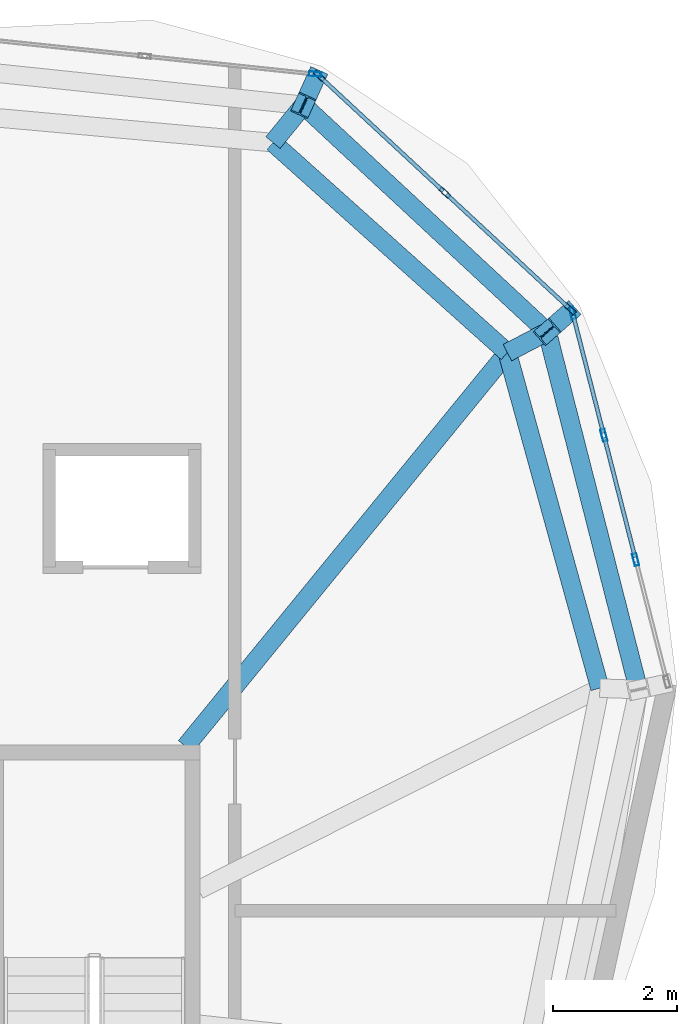
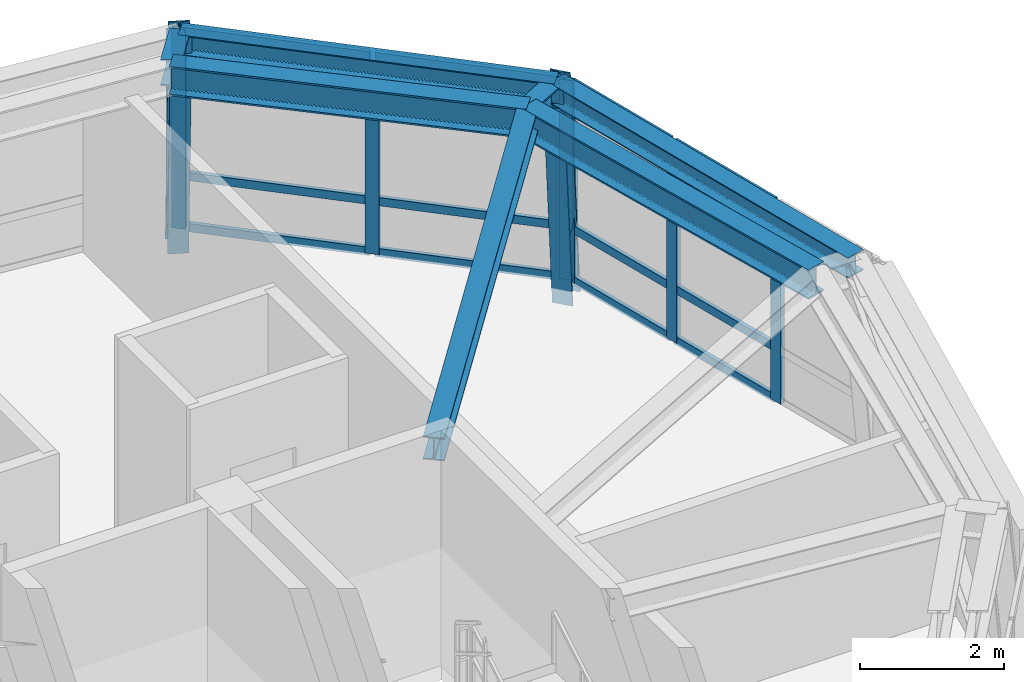
# One storey, part 6 of 9: 21 members, 7 beams, 3 elements without a shape of their own.
"""IFC4 building model written with IfcOpenShell, lengths in metres."""

from ifc_helpers import new_model, si_unit, direction, frame, origin, origin_2d, place, context, subcontext, project, spatial, hollow_rectangle, i_section, extrude, material, layer, layer_set, material_profile, profile_set, type_object, element, aggregate, save


model = new_model("IFC4")

# Units and contexts
model_context = context("Model", 3, precision=1e-05, world=origin(), true_north=direction((0.0, 1.0)))
body_context = subcontext(model_context, "Body", "Model", "MODEL_VIEW")
ifc_project = project(units=[si_unit("LENGTHUNIT", "METRE"), si_unit("AREAUNIT", "SQUARE_METRE"), si_unit("VOLUMEUNIT", "CUBIC_METRE"), si_unit("PLANEANGLEUNIT", "RADIAN"), si_unit("MASSUNIT", "GRAM", prefix="KILO"), si_unit("THERMODYNAMICTEMPERATUREUNIT", "KELVIN"), si_unit("POWERUNIT", "WATT")], contexts=[model_context])

# Site, building, storey
site_placement = place(None, origin())
site = spatial("IfcSite", under=ifc_project, at=site_placement, CompositionType="ELEMENT")
building_placement = place(site_placement, origin())
building = spatial("IfcBuilding", under=site, at=building_placement, Name="Ocrelia Relay Tower", CompositionType="ELEMENT")
storey_placement = place(building_placement, frame((0.0, 0.0, 300.0)))
storey = spatial("IfcBuildingStorey", under=building, at=storey_placement, Name="L75", CompositionType="ELEMENT", Elevation=300.0)

# Beams
ifc_material_1 = material(Name="Steel S355", Category="steel")
ifc_material_profile_1 = material_profile(ifc_material_1, i_section(OverallWidth=0.300048828125, OverallDepth=0.35009765625, WebThickness=0.010009765625, FlangeThickness=0.017578125, FilletRadius=0.027099609375, at=origin_2d()), Name="HEA 360")
ifc_profile_set_1 = profile_set([ifc_material_profile_1], Name="Steel S355")
beam_type_1 = type_object("IfcBeamType", Name="BM-HEA360", PredefinedType="SPANDREL", material=ifc_profile_set_1)
beam_1_placement = place(storey_placement, frame((44.669677734375, 28.12451171875, 3.574951171875), z_axis=(-0.247369340532, 0.968921260663, 0.0), x_axis=(-0.968921260663, -0.247369340532, 0.0)))
element("IfcBeam", 1, at=beam_1_placement, inside=storey, type_object=beam_type_1, Name="L75 Crown Faceted Ring Beam R11", PredefinedType="SPANDREL", context=body_context, shape_type="SweptSolid", body=[
    extrude(i_section(OverallWidth=0.300048828125, OverallDepth=0.35009765625, WebThickness=0.010009765625, FlangeThickness=0.017578125, FilletRadius=0.027099609375, at=origin_2d()), origin(), (0.0, 0.0, 1.0), 5.962158203125),
])
beam_2_placement = place(storey_placement, frame((43.19482421875, 33.9013671875, 3.574951171875), z_axis=(-0.732539507157, 0.68072451877, 0.0), x_axis=(-0.68072451877, -0.732539507157, 0.0)))
element("IfcBeam", 2, at=beam_2_placement, inside=storey, type_object=beam_type_1, Name="L75 Crown Faceted Ring Beam R12", PredefinedType="SPANDREL", context=body_context, shape_type="SweptSolid", body=[
    extrude(i_section(OverallWidth=0.300048828125, OverallDepth=0.35009765625, WebThickness=0.010009765625, FlangeThickness=0.017578125, FilletRadius=0.027099609375, at=origin_2d()), origin(), (0.0, 0.0, 1.0), 5.376220703125),
])
ifc_material_profile_2 = material_profile(ifc_material_1, i_section(OverallWidth=0.300048828125, OverallDepth=0.389892578125, WebThickness=0.010986328125, FlangeThickness=0.01904296875, FilletRadius=0.027099609375, at=origin_2d()), Name="HEA 400")
ifc_profile_set_2 = profile_set([ifc_material_profile_2], Name="Steel S355")
beam_type_2 = type_object("IfcBeamType", Name="BM-HEA400", PredefinedType="SPANDREL", material=ifc_profile_set_2)
beam_3_placement = place(storey_placement, frame((42.551513671875, 33.566650390625, 3.554931640625), z_axis=(-0.632697095165, -0.774399370977, 0.0), x_axis=(0.774399370977, -0.632697095165, 0.0)))
element("IfcBeam", 3, at=beam_3_placement, inside=storey, type_object=beam_type_2, Name="L75 Crown Radial Floor Beam 12", PredefinedType="SPANDREL", context=body_context, shape_type="SweptSolid", body=[
    extrude(i_section(OverallWidth=0.300048828125, OverallDepth=0.389892578125, WebThickness=0.010986328125, FlangeThickness=0.01904296875, FilletRadius=0.027099609375, at=origin_2d()), origin(), (0.0, 0.0, 1.0), 8.21484375),
])
ifc_material_profile_3 = material_profile(ifc_material_1, i_section(OverallWidth=0.300048828125, OverallDepth=0.449951171875, WebThickness=0.013916015625, FlangeThickness=0.02587890625, FilletRadius=0.027099609375, at=origin_2d()), Name="HEB 450")
ifc_profile_set_3 = profile_set([ifc_material_profile_3], Name="Steel S355")
beam_type_3 = type_object("IfcBeamType", Name="BM-HEB450", PredefinedType="BEAM", material=ifc_profile_set_3)
beam_4_placement = place(storey_placement, frame((39.256591796875, 37.56103515625, 3.52490234375), z_axis=(-0.632364948062, -0.774670621918, 0.0), x_axis=(0.774670621918, -0.632364948062, 0.0)))
element("IfcBeam", 4, at=beam_4_placement, inside=storey, type_object=beam_type_3, Name="L75 Crown Step Radial Beam ST01", PredefinedType="BEAM", context=body_context, shape_type="SweptSolid", body=[
    extrude(i_section(OverallWidth=0.300048828125, OverallDepth=0.449951171875, WebThickness=0.013916015625, FlangeThickness=0.02587890625, FilletRadius=0.027099609375, at=origin_2d()), origin(), (0.0, 0.0, 1.0), 0.777099609375),
])
beam_5_placement = place(storey_placement, frame((43.19482421875, 33.9013671875, 3.52490234375), z_axis=(-0.887106533671, -0.461564727766, 0.0), x_axis=(0.461564727766, -0.887106533671, 0.0)))
element("IfcBeam", 5, at=beam_5_placement, inside=storey, type_object=beam_type_3, Name="L75 Crown Step Radial Beam ST12", PredefinedType="BEAM", context=body_context, shape_type="SweptSolid", body=[
    extrude(i_section(OverallWidth=0.300048828125, OverallDepth=0.449951171875, WebThickness=0.013916015625, FlangeThickness=0.02587890625, FilletRadius=0.027099609375, at=origin_2d()), origin(), (0.0, 0.0, 1.0), 0.72509765625),
])
ifc_material_profile_4 = material_profile(ifc_material_1, i_section(OverallWidth=0.300048828125, OverallDepth=0.5, WebThickness=0.014404296875, FlangeThickness=0.028076171875, FilletRadius=0.027099609375, at=origin_2d()), Name="HEB 500")
ifc_profile_set_4 = profile_set([ifc_material_profile_4], Name="Steel S355")
beam_type_4 = type_object("IfcBeamType", Name="BM-HEB500", PredefinedType="BEAM", material=ifc_profile_set_4)
beam_6_placement = place(storey_placement, frame((44.04638671875, 28.14697265625, 3.5), z_axis=(-0.265894209585, 0.964002214369, 0.0), x_axis=(-0.964002214369, -0.265894209585, 0.0)))
element("IfcBeam", 6, at=beam_6_placement, inside=storey, type_object=beam_type_4, Name="L75 Crown Step Perimeter Ring Beam SR11", PredefinedType="BEAM", context=body_context, shape_type="SweptSolid", body=[
    extrude(i_section(OverallWidth=0.300048828125, OverallDepth=0.5, WebThickness=0.014404296875, FlangeThickness=0.028076171875, FilletRadius=0.027099609375, at=origin_2d()), origin(), (0.0, 0.0, 1.0), 5.6220703125),
])
beam_7_placement = place(storey_placement, frame((42.551513671875, 33.566650390625, 3.5), z_axis=(-0.744799036454, 0.667288839482, 0.0), x_axis=(-0.667288839482, -0.744799036454, 0.0)))
element("IfcBeam", 7, at=beam_7_placement, inside=storey, type_object=beam_type_4, Name="L75 Crown Step Perimeter Ring Beam SR12", PredefinedType="BEAM", context=body_context, shape_type="SweptSolid", body=[
    extrude(i_section(OverallWidth=0.300048828125, OverallDepth=0.5, WebThickness=0.014404296875, FlangeThickness=0.028076171875, FilletRadius=0.027099609375, at=origin_2d()), origin(), (0.0, 0.0, 1.0), 5.083740234375),
])

# Curtain wall, member
ifc_material_2 = material(Name="Aluminium and solar-control low-E glass", Category="aluminium")
ifc_layer = layer(ifc_material_2, 0.179931640625, Name="Aluminium and solar-control low-E glass")
ifc_layer_set = layer_set([ifc_layer], Name="Aluminium and solar-control low-E glass")
curtain_wall_type = type_object("IfcCurtainWallType", Name="CW-SYS-CROWN-PT", PredefinedType="NOTDEFINED", material=ifc_layer_set)
curtain_wall_1_placement = place(storey_placement, origin())
curtain_wall_1 = element("IfcCurtainWall", 8, at=curtain_wall_1_placement, inside=storey, type_object=curtain_wall_type, Name="L75 Faceted Glass-Point Crown Curtain Wall 01", PredefinedType="NOTDEFINED")
ifc_material_3 = material(Name="Anodised bronze aluminium", Category="aluminium")
ifc_material_profile_5 = material_profile(ifc_material_3, hollow_rectangle(XDim=0.074951171875, YDim=0.199951171875, WallThickness=0.006103515625, at=origin_2d()), Name="CW-MUL-200x75")
ifc_profile_set_5 = profile_set([ifc_material_profile_5], Name="Anodised bronze aluminium")
member_type_1 = type_object("IfcMemberType", Name="CW-SYS-CROWN-PT-MUL", PredefinedType="MULLION", material=ifc_profile_set_5)
member_1_placement = place(storey_placement, frame((39.447021484375, 38.065673828125, 0.0), z_axis=(0.0, 0.0, 1.0), x_axis=(-0.104755265388, -0.994498031357, 0.0)))
member_1 = element("IfcMember", 9, at=member_1_placement, type_object=member_type_1, Name="CW-CR mullion 1", PredefinedType="MULLION", context=body_context, shape_type="SweptSolid", body=[
    extrude(hollow_rectangle(XDim=0.074951171875, YDim=0.199951171875, WallThickness=0.006103515625, at=origin_2d()), origin(), (0.0, 0.0, 1.0), 3.389892578125),
])
aggregate(curtain_wall_1, [member_1])

# Curtain wall, members
curtain_wall_2_placement = place(storey_placement, origin())
curtain_wall_2 = element("IfcCurtainWall", 10, at=curtain_wall_2_placement, inside=storey, type_object=curtain_wall_type, Name="L75 Faceted Glass-Point Crown Curtain Wall 11", PredefinedType="NOTDEFINED")
member_2_placement = place(storey_placement, frame((44.624267578125, 30.222900390625, 0.0), z_axis=(0.0, 0.0, 1.0), x_axis=(-0.968839306988, -0.24769012341, 0.0)))
member_2 = element("IfcMember", 11, at=member_2_placement, type_object=member_type_1, Name="CW-CR mullion 2", PredefinedType="MULLION", context=body_context, shape_type="SweptSolid", body=[
    extrude(hollow_rectangle(XDim=0.074951171875, YDim=0.199951171875, WallThickness=0.006103515625, at=origin_2d()), origin(), (0.0, 0.0, 1.0), 3.389892578125),
])
member_3_placement = place(storey_placement, frame((44.110595703125, 32.232421875, 0.0), z_axis=(0.0, 0.0, 1.0), x_axis=(-0.968839306988, -0.24769012341, 0.0)))
member_3 = element("IfcMember", 12, at=member_3_placement, type_object=member_type_1, Name="CW-CR mullion 3", PredefinedType="MULLION", context=body_context, shape_type="SweptSolid", body=[
    extrude(hollow_rectangle(XDim=0.074951171875, YDim=0.199951171875, WallThickness=0.006103515625, at=origin_2d()), origin(), (0.0, 0.0, 1.0), 3.389892578125),
])
member_4_placement = place(storey_placement, frame((43.606201171875, 34.20556640625, 0.0), z_axis=(0.0, 0.0, 1.0), x_axis=(-0.968839306988, -0.24769012341, 0.0)))
member_4 = element("IfcMember", 13, at=member_4_placement, type_object=member_type_1, Name="CW-CR mullion 4", PredefinedType="MULLION", context=body_context, shape_type="SweptSolid", body=[
    extrude(hollow_rectangle(XDim=0.074951171875, YDim=0.199951171875, WallThickness=0.006103515625, at=origin_2d()), origin(), (0.0, 0.0, 1.0), 3.389892578125),
])

curtain_wall_3_placement = place(storey_placement, origin())
curtain_wall_3 = element("IfcCurtainWall", 14, at=curtain_wall_3_placement, inside=storey, type_object=curtain_wall_type, Name="L75 Faceted Glass-Point Crown Curtain Wall 12", PredefinedType="NOTDEFINED")
member_5_placement = place(storey_placement, frame((43.5693359375, 34.267333984375, 0.0), z_axis=(0.0, 0.0, 1.0), x_axis=(-0.680552909724, -0.732698940266, 0.0)))
member_5 = element("IfcMember", 15, at=member_5_placement, type_object=member_type_1, Name="CW-CR mullion 1", PredefinedType="MULLION", context=body_context, shape_type="SweptSolid", body=[
    extrude(hollow_rectangle(XDim=0.074951171875, YDim=0.199951171875, WallThickness=0.006103515625, at=origin_2d()), origin(), (0.0, 0.0, 1.0), 3.389892578125),
])
member_6_placement = place(storey_placement, frame((41.54052734375, 36.15185546875, 0.0), z_axis=(0.0, 0.0, 1.0), x_axis=(-0.680552909724, -0.732698940266, 0.0)))
member_6 = element("IfcMember", 16, at=member_6_placement, type_object=member_type_1, Name="CW-CR mullion 2", PredefinedType="MULLION", context=body_context, shape_type="SweptSolid", body=[
    extrude(hollow_rectangle(XDim=0.074951171875, YDim=0.199951171875, WallThickness=0.006103515625, at=origin_2d()), origin(), (0.0, 0.0, 1.0), 3.389892578125),
])
member_7_placement = place(storey_placement, frame((39.51171875, 38.036376953125, 0.0), z_axis=(0.0, 0.0, 1.0), x_axis=(-0.680552909724, -0.732698940266, 0.0)))
member_7 = element("IfcMember", 17, at=member_7_placement, type_object=member_type_1, Name="CW-CR mullion 3", PredefinedType="MULLION", context=body_context, shape_type="SweptSolid", body=[
    extrude(hollow_rectangle(XDim=0.074951171875, YDim=0.199951171875, WallThickness=0.006103515625, at=origin_2d()), origin(), (0.0, 0.0, 1.0), 3.389892578125),
])

# Member
ifc_material_profile_6 = material_profile(ifc_material_3, hollow_rectangle(XDim=0.06494140625, YDim=0.139892578125, WallThickness=0.0048828125, at=origin_2d()), Name="CW-TRN-140x65")
ifc_profile_set_6 = profile_set([ifc_material_profile_6], Name="Anodised bronze aluminium")
member_type_2 = type_object("IfcMemberType", Name="CW-SYS-CROWN-PT-TRN", PredefinedType="USERDEFINED", material=ifc_profile_set_6)
member_8_placement = place(storey_placement, frame((44.614990234375, 30.25927734375, 0.032470703125), z_axis=(-0.247675967927, 0.96884292582, 0.0), x_axis=(-0.96884292582, -0.247675967927, 0.0)))
member_8 = element("IfcMember", 18, at=member_8_placement, type_object=member_type_2, Name="CW-CR transom 2.1", ObjectType="TRANSOM", PredefinedType="USERDEFINED", context=body_context, shape_type="SweptSolid", body=[
    extrude(hollow_rectangle(XDim=0.06494140625, YDim=0.139892578125, WallThickness=0.0048828125, at=origin_2d()), origin(), (0.0, 0.0, 1.0), 1.9990234375),
])

member_9_placement = place(storey_placement, frame((44.614990234375, 30.25927734375, 0.89990234375), z_axis=(-0.247675967927, 0.96884292582, 0.0), x_axis=(-0.96884292582, -0.247675967927, 0.0)))
member_9 = element("IfcMember", 19, at=member_9_placement, type_object=member_type_2, Name="CW-CR transom 2.2", ObjectType="TRANSOM", PredefinedType="USERDEFINED", context=body_context, shape_type="SweptSolid", body=[
    extrude(hollow_rectangle(XDim=0.06494140625, YDim=0.139892578125, WallThickness=0.0048828125, at=origin_2d()), origin(), (0.0, 0.0, 1.0), 1.9990234375),
])

member_10_placement = place(storey_placement, frame((44.614990234375, 30.25927734375, 3.357421875), z_axis=(-0.247675967927, 0.96884292582, 0.0), x_axis=(-0.96884292582, -0.247675967927, 0.0)))
member_10 = element("IfcMember", 20, at=member_10_placement, type_object=member_type_2, Name="CW-CR transom 2.3", ObjectType="TRANSOM", PredefinedType="USERDEFINED", context=body_context, shape_type="SweptSolid", body=[
    extrude(hollow_rectangle(XDim=0.06494140625, YDim=0.139892578125, WallThickness=0.0048828125, at=origin_2d()), origin(), (0.0, 0.0, 1.0), 1.9990234375),
])

member_11_placement = place(storey_placement, frame((44.101318359375, 32.2685546875, 0.032470703125), z_axis=(-0.247656677641, 0.968847857003, 0.0), x_axis=(-0.968847857003, -0.247656677641, 0.0)))
member_11 = element("IfcMember", 21, at=member_11_placement, type_object=member_type_2, Name="CW-CR transom 3.1", ObjectType="TRANSOM", PredefinedType="USERDEFINED", context=body_context, shape_type="SweptSolid", body=[
    extrude(hollow_rectangle(XDim=0.06494140625, YDim=0.139892578125, WallThickness=0.0048828125, at=origin_2d()), origin(), (0.0, 0.0, 1.0), 1.961669921875),
])

member_12_placement = place(storey_placement, frame((44.101318359375, 32.2685546875, 0.89990234375), z_axis=(-0.247656677641, 0.968847857003, 0.0), x_axis=(-0.968847857003, -0.247656677641, 0.0)))
member_12 = element("IfcMember", 22, at=member_12_placement, type_object=member_type_2, Name="CW-CR transom 3.2", ObjectType="TRANSOM", PredefinedType="USERDEFINED", context=body_context, shape_type="SweptSolid", body=[
    extrude(hollow_rectangle(XDim=0.06494140625, YDim=0.139892578125, WallThickness=0.0048828125, at=origin_2d()), origin(), (0.0, 0.0, 1.0), 1.961669921875),
])

member_13_placement = place(storey_placement, frame((44.101318359375, 32.2685546875, 3.357421875), z_axis=(-0.247656677641, 0.968847857003, 0.0), x_axis=(-0.968847857003, -0.247656677641, 0.0)))
member_13 = element("IfcMember", 23, at=member_13_placement, type_object=member_type_2, Name="CW-CR transom 3.3", ObjectType="TRANSOM", PredefinedType="USERDEFINED", context=body_context, shape_type="SweptSolid", body=[
    extrude(hollow_rectangle(XDim=0.06494140625, YDim=0.139892578125, WallThickness=0.0048828125, at=origin_2d()), origin(), (0.0, 0.0, 1.0), 1.961669921875),
])

aggregate(curtain_wall_2, [member_2, member_3, member_4, member_8, member_9, member_10, member_11, member_12, member_13])

member_14_placement = place(storey_placement, frame((43.5419921875, 34.292724609375, 0.032470703125), z_axis=(-0.732680514123, 0.680572747194, 0.0), x_axis=(-0.680572747194, -0.732680514123, 0.0)))
member_14 = element("IfcMember", 24, at=member_14_placement, type_object=member_type_2, Name="CW-CR transom 1.1", ObjectType="TRANSOM", PredefinedType="USERDEFINED", context=body_context, shape_type="SweptSolid", body=[
    extrude(hollow_rectangle(XDim=0.06494140625, YDim=0.139892578125, WallThickness=0.0048828125, at=origin_2d()), origin(), (0.0, 0.0, 1.0), 2.694091796875),
])

member_15_placement = place(storey_placement, frame((43.5419921875, 34.292724609375, 0.89990234375), z_axis=(-0.732680514123, 0.680572747194, 0.0), x_axis=(-0.680572747194, -0.732680514123, 0.0)))
member_15 = element("IfcMember", 25, at=member_15_placement, type_object=member_type_2, Name="CW-CR transom 1.2", ObjectType="TRANSOM", PredefinedType="USERDEFINED", context=body_context, shape_type="SweptSolid", body=[
    extrude(hollow_rectangle(XDim=0.06494140625, YDim=0.139892578125, WallThickness=0.0048828125, at=origin_2d()), origin(), (0.0, 0.0, 1.0), 2.694091796875),
])

member_16_placement = place(storey_placement, frame((43.5419921875, 34.292724609375, 3.357421875), z_axis=(-0.732680514123, 0.680572747194, 0.0), x_axis=(-0.680572747194, -0.732680514123, 0.0)))
member_16 = element("IfcMember", 26, at=member_16_placement, type_object=member_type_2, Name="CW-CR transom 1.3", ObjectType="TRANSOM", PredefinedType="USERDEFINED", context=body_context, shape_type="SweptSolid", body=[
    extrude(hollow_rectangle(XDim=0.06494140625, YDim=0.139892578125, WallThickness=0.0048828125, at=origin_2d()), origin(), (0.0, 0.0, 1.0), 2.694091796875),
])

member_17_placement = place(storey_placement, frame((41.51318359375, 36.17724609375, 0.032470703125), z_axis=(-0.732722484269, 0.680527560828, 0.0), x_axis=(-0.680527560828, -0.732722484269, 0.0)))
member_17 = element("IfcMember", 27, at=member_17_placement, type_object=member_type_2, Name="CW-CR transom 2.1", ObjectType="TRANSOM", PredefinedType="USERDEFINED", context=body_context, shape_type="SweptSolid", body=[
    extrude(hollow_rectangle(XDim=0.06494140625, YDim=0.139892578125, WallThickness=0.0048828125, at=origin_2d()), origin(), (0.0, 0.0, 1.0), 2.6943359375),
])

member_18_placement = place(storey_placement, frame((41.51318359375, 36.17724609375, 0.89990234375), z_axis=(-0.732722484269, 0.680527560828, 0.0), x_axis=(-0.680527560828, -0.732722484269, 0.0)))
member_18 = element("IfcMember", 28, at=member_18_placement, type_object=member_type_2, Name="CW-CR transom 2.2", ObjectType="TRANSOM", PredefinedType="USERDEFINED", context=body_context, shape_type="SweptSolid", body=[
    extrude(hollow_rectangle(XDim=0.06494140625, YDim=0.139892578125, WallThickness=0.0048828125, at=origin_2d()), origin(), (0.0, 0.0, 1.0), 2.6943359375),
])

member_19_placement = place(storey_placement, frame((41.51318359375, 36.17724609375, 3.357421875), z_axis=(-0.732722484269, 0.680527560828, 0.0), x_axis=(-0.680527560828, -0.732722484269, 0.0)))
member_19 = element("IfcMember", 29, at=member_19_placement, type_object=member_type_2, Name="CW-CR transom 2.3", ObjectType="TRANSOM", PredefinedType="USERDEFINED", context=body_context, shape_type="SweptSolid", body=[
    extrude(hollow_rectangle(XDim=0.06494140625, YDim=0.139892578125, WallThickness=0.0048828125, at=origin_2d()), origin(), (0.0, 0.0, 1.0), 2.6943359375),
])

aggregate(curtain_wall_3, [member_5, member_6, member_7, member_14, member_15, member_16, member_17, member_18, member_19])

# Members
ifc_material_profile_7 = material_profile(ifc_material_1, i_section(OverallWidth=0.300048828125, OverallDepth=0.340087890625, WebThickness=0.011962890625, FlangeThickness=0.021484375, FilletRadius=0.027099609375, at=origin_2d()), Name="HEB 340")
ifc_profile_set_7 = profile_set([ifc_material_profile_7], Name="Steel S355")
member_type_3 = type_object("IfcMemberType", Name="MB-CROWN-RIB", PredefinedType="STRUT", material=ifc_profile_set_7)
member_20_placement = place(storey_placement, frame((39.44287109375, 37.970703125, -0.25), z_axis=(-0.046277852983, -0.101774885066, 0.993730463), x_axis=(0.910310733165, -0.413925559836, 0.0)))
element("IfcMember", 30, at=member_20_placement, inside=storey, type_object=member_type_3, Name="L75 Crown Faceted Structural Strut Rib CR01", PredefinedType="STRUT", context=body_context, shape_type="SweptSolid", body=[
    extrude(i_section(OverallWidth=0.300048828125, OverallDepth=0.340087890625, WebThickness=0.011962890625, FlangeThickness=0.021484375, FilletRadius=0.027099609375, at=origin_2d()), origin(), (0.0, 0.0, 1.0), 4.025146484375),
])
member_21_placement = place(storey_placement, frame((43.515380859375, 34.18359375, -0.25), z_axis=(-0.079686215125, -0.070157855815, 0.994348018747), x_axis=(0.660808283131, -0.750554736809, 0.0)))
element("IfcMember", 31, at=member_21_placement, inside=storey, type_object=member_type_3, Name="L75 Crown Faceted Structural Strut Rib CR12", PredefinedType="STRUT", context=body_context, shape_type="SweptSolid", body=[
    extrude(i_section(OverallWidth=0.300048828125, OverallDepth=0.340087890625, WebThickness=0.011962890625, FlangeThickness=0.021484375, FilletRadius=0.027099609375, at=origin_2d()), origin(), (0.0, 0.0, 1.0), 4.022705078125),
])

save(model, "model.ifc")
